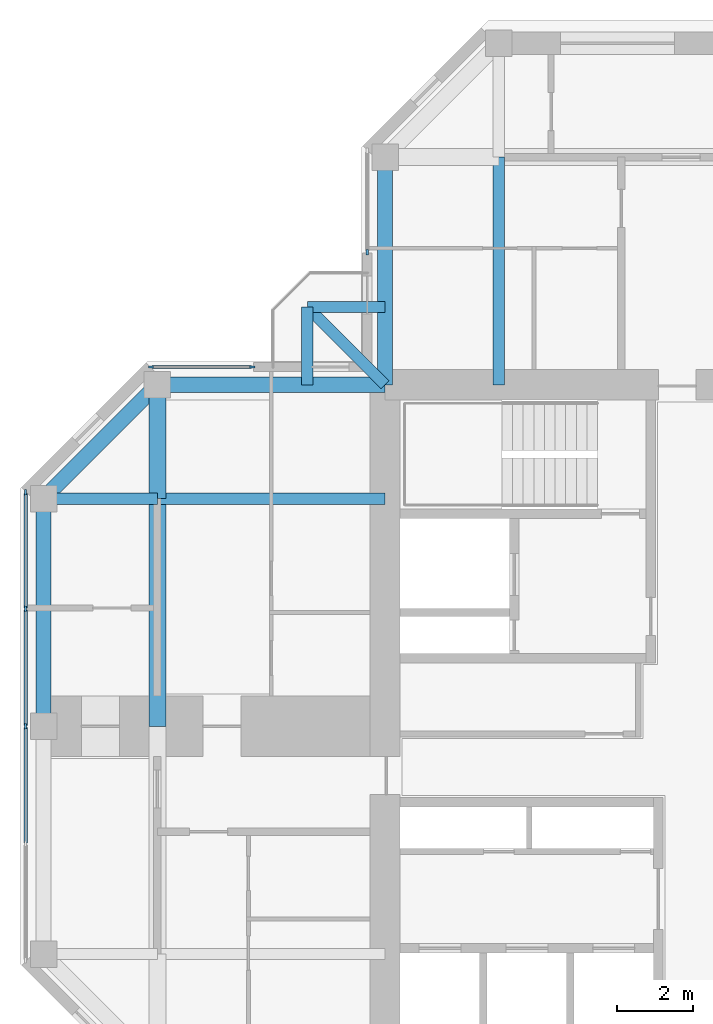
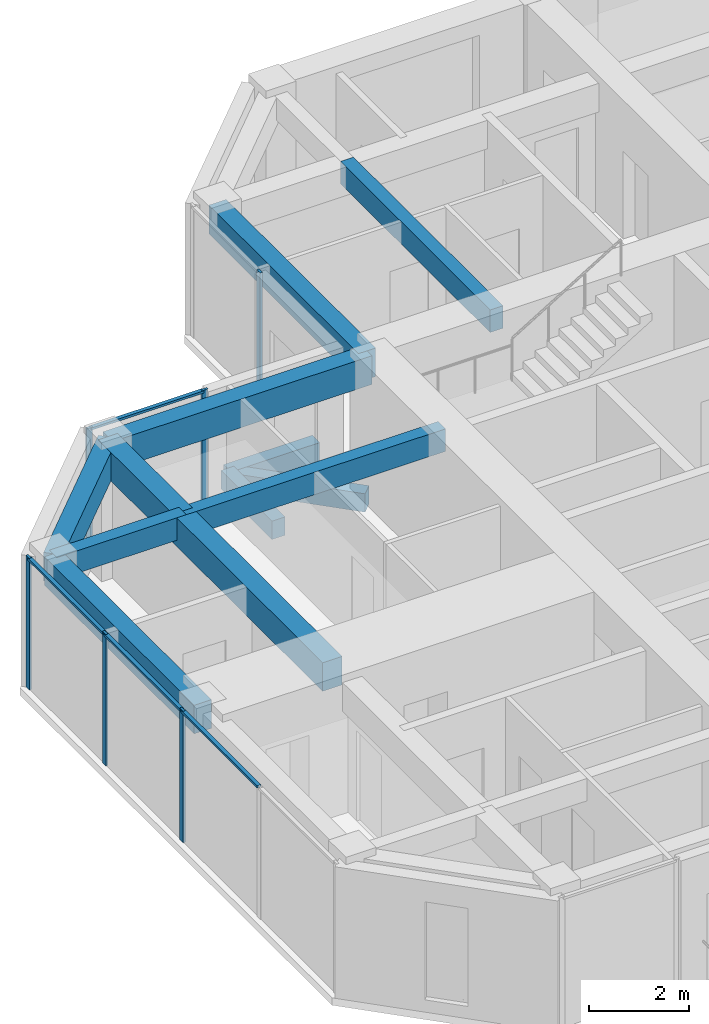
# One storey, part 4 of 13: 12 beams, 10 members, 3 elements without a shape of their own.
"""IFC4 building model written with IfcOpenShell, lengths in metres."""

from ifc_helpers import new_model, si_unit, direction, frame, origin, origin_2d, place, context, subcontext, project, spatial, rectangle, extrude, material, material_profile, profile_set, type_object, element, aggregate, save


model = new_model("IFC4")

# Units and contexts
model_context = context("Model", 3, precision=1e-05, world=origin(), true_north=direction((0.0, 1.0)))
body_context = subcontext(model_context, "Body", "Model", "MODEL_VIEW")
ifc_project = project(units=[si_unit("LENGTHUNIT", "METRE"), si_unit("AREAUNIT", "SQUARE_METRE"), si_unit("VOLUMEUNIT", "CUBIC_METRE"), si_unit("PLANEANGLEUNIT", "RADIAN"), si_unit("MASSUNIT", "GRAM", prefix="KILO")], contexts=[model_context])

# Site, building, storey
site_placement = place(None, origin())
site = spatial("IfcSite", under=ifc_project, at=site_placement, CompositionType="ELEMENT")
building_placement = place(site_placement, origin())
building = spatial("IfcBuilding", under=site, at=building_placement, Name="Torre Cruceta", CompositionType="ELEMENT")
storey_placement = place(building_placement, frame((0.0, 0.0, 261.10009765625)))
storey = spatial("IfcBuildingStorey", under=building, at=storey_placement, Name="L67", CompositionType="ELEMENT", Elevation=261.10009765625)

# Beams
ifc_material_1 = material(Name="Concrete G60 (fck 60 MPa)", Category="concrete")
ifc_material_profile_1 = material_profile(ifc_material_1, rectangle(XDim=0.300048828125, YDim=0.449951171875, at=origin_2d()), Name="RC 300X450")
ifc_profile_set_1 = profile_set([ifc_material_profile_1], Name="Concrete G60 (fck 60 MPa)")
beam_type_1 = type_object("IfcBeamType", Name="BALCONY CANTILEVER BEAM RC 300X450", PredefinedType="BEAM", material=ifc_profile_set_1)
beam_1_placement = place(storey_placement, frame((-9.0, 9.0, -0.405029296875), z_axis=(-0.707106781187, 0.707106781187, 0.0), x_axis=(-0.707106781187, -0.707106781187, 0.0)))
element("IfcBeam", 1, at=beam_1_placement, inside=storey, type_object=beam_type_1, Name="BB1 balcony beam L67 N", PredefinedType="BEAM", context=body_context, shape_type="SweptSolid", body=[
    extrude(rectangle(XDim=0.300048828125, YDim=0.449951171875, at=origin_2d()), origin(), (0.0, 0.0, 1.0), 2.89990234375),
])
for number, where, z_axis, x_axis, name in (
    (2, (-11.050537109375, 9.0, -0.405029296875), (0.0, 1.0, 0.0), (-1.0, 0.0, 0.0), "BB1 balcony edge beam L67 N-X"),
    (3, (-9.0, 11.050537109375, -0.405029296875), (-1.0, 0.0, 0.0), (0.0, -1.0, 0.0), "BB1 balcony edge beam L67 N-Y"),
):
    element("IfcBeam", number, at=place(storey_placement, frame(where, z_axis=z_axis, x_axis=x_axis)), inside=storey, type_object=beam_type_1, Name=name, PredefinedType="BEAM", context=body_context, shape_type="SweptSolid", body=[
        extrude(rectangle(XDim=0.300048828125, YDim=0.449951171875, at=origin_2d()), origin(), (0.0, 0.0, 1.0), 2.050537109375),
    ])
ifc_material_2 = material(Name="Concrete G60 (fck 60 MPa)", Category="concrete")
ifc_material_profile_2 = material_profile(ifc_material_2, rectangle(XDim=0.300048828125, YDim=0.550048828125, at=origin_2d()), Name="RC 300X550")
ifc_profile_set_2 = profile_set([ifc_material_profile_2], Name="Concrete G60 (fck 60 MPa)")
beam_type_2 = type_object("IfcBeamType", Name="COLUMN LINE BEAM RC 300X550", PredefinedType="BEAM", material=ifc_profile_set_2)
for number, where, z_axis, x_axis, name in (
    (4, (-6.0, 9.0, 2.94482421875), (0.0, 1.0, 0.0), (-1.0, 0.0, 0.0), "LB10 L67 N col+ 1"),
    (5, (-9.0, 6.0, 2.94482421875), (-1.0, 0.0, 0.0), (0.0, -1.0, 0.0), "LB10 L67 W col- 1"),
):
    element("IfcBeam", number, at=place(storey_placement, frame(where, z_axis=z_axis, x_axis=x_axis)), inside=storey, type_object=beam_type_2, Name=name, PredefinedType="BEAM", context=body_context, shape_type="SweptSolid", body=[
        extrude(rectangle(XDim=0.300048828125, YDim=0.550048828125, at=origin_2d()), origin(), (0.0, 0.0, 1.0), 6.0),
    ])
beam_2_placement = place(storey_placement, frame((-15.0, 6.0, 2.94482421875), z_axis=(-1.0, 0.0, 0.0), x_axis=(0.0, -1.0, 0.0)))
element("IfcBeam", 6, at=beam_2_placement, inside=storey, type_object=beam_type_2, Name="LB10 L67 W col- 2", PredefinedType="BEAM", context=body_context, shape_type="SweptSolid", body=[
    extrude(rectangle(XDim=0.300048828125, YDim=0.550048828125, at=origin_2d()), origin(), (0.0, 0.0, 1.0), 3.0),
])
ifc_material_3 = material(Name="Concrete G60 (fck 60 MPa)", Category="concrete")
ifc_material_profile_3 = material_profile(ifc_material_3, rectangle(XDim=0.449951171875, YDim=0.699951171875, at=origin_2d()), Name="RC 450X700")
ifc_profile_set_3 = profile_set([ifc_material_profile_3], Name="Concrete G60 (fck 60 MPa)")
beam_type_3 = type_object("IfcBeamType", Name="CROSS BEAM RC 450X700", PredefinedType="BEAM", material=ifc_profile_set_3)
beam_3_placement = place(storey_placement, frame((-15.0, 9.0, 2.869873046875), z_axis=(0.0, -1.0, 0.0), x_axis=(1.0, 0.0, 0.0)))
element("IfcBeam", 7, at=beam_3_placement, inside=storey, type_object=beam_type_3, Name="GB8 L67 W cross15 1", PredefinedType="BEAM", context=body_context, shape_type="SweptSolid", body=[
    extrude(rectangle(XDim=0.449951171875, YDim=0.699951171875, at=origin_2d()), origin(), (0.0, 0.0, 1.0), 3.0),
])
beam_4_placement = place(storey_placement, frame((-15.0, 6.0, 2.869873046875), z_axis=(0.0, -1.0, 0.0), x_axis=(1.0, 0.0, 0.0)))
element("IfcBeam", 8, at=beam_4_placement, inside=storey, type_object=beam_type_3, Name="GB8 L67 W cross15 2", PredefinedType="BEAM", context=body_context, shape_type="SweptSolid", body=[
    extrude(rectangle(XDim=0.449951171875, YDim=0.699951171875, at=origin_2d()), origin(), (0.0, 0.0, 1.0), 6.0),
])

# Curtain wall, member
ifc_material_4 = material(Name="Aluminium unitised curtain wall", Category="aluminium")
curtain_wall_type = type_object("IfcCurtainWallType", Name="CURTAIN WALL CW-E CO-LIVING TOP", PredefinedType="USERDEFINED", material=ifc_material_4)
curtain_wall_1_placement = place(storey_placement, origin())
curtain_wall_1 = element("IfcCurtainWall", 9, at=curtain_wall_1_placement, inside=storey, type_object=curtain_wall_type, Name="CW-E L67 N side 09", ObjectType="UNITISED", PredefinedType="USERDEFINED")
ifc_material_5 = material(Name="Aluminium mullion", Category="aluminium")
ifc_material_profile_4 = material_profile(ifc_material_5, rectangle(XDim=0.054931640625, YDim=0.139892578125, at=origin_2d()), Name="AL 55X140")
ifc_profile_set_4 = profile_set([ifc_material_profile_4], Name="Aluminium mullion")
member_type_1 = type_object("IfcMemberType", Name="CW-E MULLION 55X140", PredefinedType="MULLION", material=ifc_profile_set_4)
member_1_placement = place(storey_placement, frame((-9.469970703125, 12.49755859375, 0.0), z_axis=(0.0, 0.0, 1.0), x_axis=(1.0, 0.0, 0.0)))
member_1 = element("IfcMember", 10, at=member_1_placement, type_object=member_type_1, Name="CW-E mullion 2", PredefinedType="MULLION", context=body_context, shape_type="SweptSolid", body=[
    extrude(rectangle(XDim=0.054931640625, YDim=0.139892578125, at=origin_2d()), origin(), (0.0, 0.0, 1.0), 3.219970703125),
])
aggregate(curtain_wall_1, [member_1])

# Curtain wall, members
curtain_wall_2_placement = place(storey_placement, origin())
curtain_wall_2 = element("IfcCurtainWall", 11, at=curtain_wall_2_placement, inside=storey, type_object=curtain_wall_type, Name="CW-E L67 W side 10", ObjectType="UNITISED", PredefinedType="USERDEFINED")
member_2_placement = place(storey_placement, frame((-12.49755859375, 9.469970703125, 0.0), z_axis=(0.0, 0.0, 1.0), x_axis=(0.0, -1.0, 0.0)))
member_2 = element("IfcMember", 12, at=member_2_placement, type_object=member_type_1, Name="CW-E mullion 1", PredefinedType="MULLION", context=body_context, shape_type="SweptSolid", body=[
    extrude(rectangle(XDim=0.054931640625, YDim=0.139892578125, at=origin_2d()), origin(), (0.0, 0.0, 1.0), 3.219970703125),
])
member_3_placement = place(storey_placement, frame((-15.167236328125, 9.469970703125, 0.0), z_axis=(0.0, 0.0, 1.0), x_axis=(0.0, -1.0, 0.0)))
member_3 = element("IfcMember", 13, at=member_3_placement, type_object=member_type_1, Name="CW-E mullion 2", PredefinedType="MULLION", context=body_context, shape_type="SweptSolid", body=[
    extrude(rectangle(XDim=0.054931640625, YDim=0.139892578125, at=origin_2d()), origin(), (0.0, 0.0, 1.0), 3.219970703125),
])

curtain_wall_3_placement = place(storey_placement, origin())
curtain_wall_3 = element("IfcCurtainWall", 14, at=curtain_wall_3_placement, inside=storey, type_object=curtain_wall_type, Name="CW-E L67 W tip 12", ObjectType="UNITISED", PredefinedType="USERDEFINED")
member_4_placement = place(storey_placement, frame((-18.469970703125, 6.167236328125, 0.0), z_axis=(0.0, 0.0, 1.0), x_axis=(1.0, 0.0, 0.0)))
member_4 = element("IfcMember", 15, at=member_4_placement, type_object=member_type_1, Name="CW-E mullion 1", PredefinedType="MULLION", context=body_context, shape_type="SweptSolid", body=[
    extrude(rectangle(XDim=0.054931640625, YDim=0.139892578125, at=origin_2d()), origin(), (0.0, 0.0, 1.0), 3.219970703125),
])
member_5_placement = place(storey_placement, frame((-18.469970703125, 3.097412109375, 0.0), z_axis=(0.0, 0.0, 1.0), x_axis=(1.0, 0.0, 0.0)))
member_5 = element("IfcMember", 16, at=member_5_placement, type_object=member_type_1, Name="CW-E mullion 2", PredefinedType="MULLION", context=body_context, shape_type="SweptSolid", body=[
    extrude(rectangle(XDim=0.054931640625, YDim=0.139892578125, at=origin_2d()), origin(), (0.0, 0.0, 1.0), 3.219970703125),
])
member_6_placement = place(storey_placement, frame((-18.469970703125, 0.0, 0.0), z_axis=(0.0, 0.0, 1.0), x_axis=(1.0, 0.0, 0.0)))
member_6 = element("IfcMember", 17, at=member_6_placement, type_object=member_type_1, Name="CW-E mullion 3", PredefinedType="MULLION", context=body_context, shape_type="SweptSolid", body=[
    extrude(rectangle(XDim=0.054931640625, YDim=0.139892578125, at=origin_2d()), origin(), (0.0, 0.0, 1.0), 3.219970703125),
])

# Member
ifc_material_6 = material(Name="Aluminium transom", Category="aluminium")
ifc_material_profile_5 = material_profile(ifc_material_6, rectangle(XDim=0.090087890625, YDim=0.054931640625, at=origin_2d()), Name="AL 90X55")
ifc_profile_set_5 = profile_set([ifc_material_profile_5], Name="Aluminium transom")
member_type_2 = type_object("IfcMemberType", Name="CW-E TRANSOM 55X90", PredefinedType="USERDEFINED", material=ifc_profile_set_5)
member_7_placement = place(storey_placement, frame((-12.52490234375, 9.469970703125, 3.1923828125), z_axis=(-1.0, 0.0, 0.0), x_axis=(0.0, -1.0, 0.0)))
member_7 = element("IfcMember", 18, at=member_7_placement, type_object=member_type_2, Name="CW-E transom 1", ObjectType="TRANSOM", PredefinedType="USERDEFINED", context=body_context, shape_type="SweptSolid", body=[
    extrude(rectangle(XDim=0.090087890625, YDim=0.054931640625, at=origin_2d()), origin(), (0.0, 0.0, 1.0), 2.61474609375),
])

aggregate(curtain_wall_2, [member_2, member_3, member_7])

member_8_placement = place(storey_placement, frame((-18.469970703125, 6.1396484375, 3.1923828125), z_axis=(0.0, -1.0, 0.0), x_axis=(1.0, 0.0, 0.0)))
member_8 = element("IfcMember", 19, at=member_8_placement, type_object=member_type_2, Name="CW-E transom 1", ObjectType="TRANSOM", PredefinedType="USERDEFINED", context=body_context, shape_type="SweptSolid", body=[
    extrude(rectangle(XDim=0.090087890625, YDim=0.054931640625, at=origin_2d()), origin(), (0.0, 0.0, 1.0), 3.014892578125),
])

member_9_placement = place(storey_placement, frame((-18.469970703125, 3.06982421875, 3.1923828125), z_axis=(0.0, -1.0, 0.0), x_axis=(1.0, 0.0, 0.0)))
member_9 = element("IfcMember", 20, at=member_9_placement, type_object=member_type_2, Name="CW-E transom 2", ObjectType="TRANSOM", PredefinedType="USERDEFINED", context=body_context, shape_type="SweptSolid", body=[
    extrude(rectangle(XDim=0.090087890625, YDim=0.054931640625, at=origin_2d()), origin(), (0.0, 0.0, 1.0), 3.042236328125),
])

member_10_placement = place(storey_placement, frame((-18.469970703125, -0.027587890625, 3.1923828125), z_axis=(0.0, -1.0, 0.0), x_axis=(1.0, 0.0, 0.0)))
member_10 = element("IfcMember", 21, at=member_10_placement, type_object=member_type_2, Name="CW-E transom 3", ObjectType="TRANSOM", PredefinedType="USERDEFINED", context=body_context, shape_type="SweptSolid", body=[
    extrude(rectangle(XDim=0.090087890625, YDim=0.054931640625, at=origin_2d()), origin(), (0.0, 0.0, 1.0), 3.042236328125),
])

aggregate(curtain_wall_3, [member_4, member_5, member_6, member_8, member_9, member_10])

# Beams
ifc_material_7 = material(Name="Concrete G60 (fck 60 MPa)", Category="concrete")
ifc_material_profile_6 = material_profile(ifc_material_7, rectangle(XDim=0.39990234375, YDim=0.699951171875, at=origin_2d()), Name="RC 400X700")
ifc_profile_set_6 = profile_set([ifc_material_profile_6], Name="Concrete G60 (fck 60 MPa)")
beam_type_4 = type_object("IfcBeamType", Name="SPANDREL BEAM RC 400X700", PredefinedType="SPANDREL", material=ifc_profile_set_6)
for number, where, z_axis, x_axis, name in (
    (22, (-9.0, 9.0, 2.869873046875), (0.0, 1.0, 0.0), (-1.0, 0.0, 0.0), "SB8 L67 N side+ 1"),
    (23, (-9.0, 9.0, 2.869873046875), (-1.0, 0.0, 0.0), (0.0, -1.0, 0.0), "SB8 L67 W side- 1"),
):
    element("IfcBeam", number, at=place(storey_placement, frame(where, z_axis=z_axis, x_axis=x_axis)), inside=storey, type_object=beam_type_4, Name=name, PredefinedType="SPANDREL", context=body_context, shape_type="SweptSolid", body=[
        extrude(rectangle(XDim=0.39990234375, YDim=0.699951171875, at=origin_2d()), origin(), (0.0, 0.0, 1.0), 6.0),
    ])
beam_5_placement = place(storey_placement, frame((-15.0, 9.0, 2.869873046875), z_axis=(-0.707106781187, -0.707106781187, 0.0), x_axis=(0.707106781187, -0.707106781187, 0.0)))
element("IfcBeam", 24, at=beam_5_placement, inside=storey, type_object=beam_type_4, Name="SB8 L67 W side- 2", PredefinedType="SPANDREL", context=body_context, shape_type="SweptSolid", body=[
    extrude(rectangle(XDim=0.39990234375, YDim=0.699951171875, at=origin_2d()), origin(), (0.0, 0.0, 1.0), 4.24267578125),
])
beam_6_placement = place(storey_placement, frame((-18.0, 6.0, 2.869873046875), z_axis=(0.0, -1.0, 0.0), x_axis=(1.0, 0.0, 0.0)))
element("IfcBeam", 25, at=beam_6_placement, inside=storey, type_object=beam_type_4, Name="SB8 L67 W tip 1", PredefinedType="SPANDREL", context=body_context, shape_type="SweptSolid", body=[
    extrude(rectangle(XDim=0.39990234375, YDim=0.699951171875, at=origin_2d()), origin(), (0.0, 0.0, 1.0), 6.0),
])

save(model, "model.ifc")
